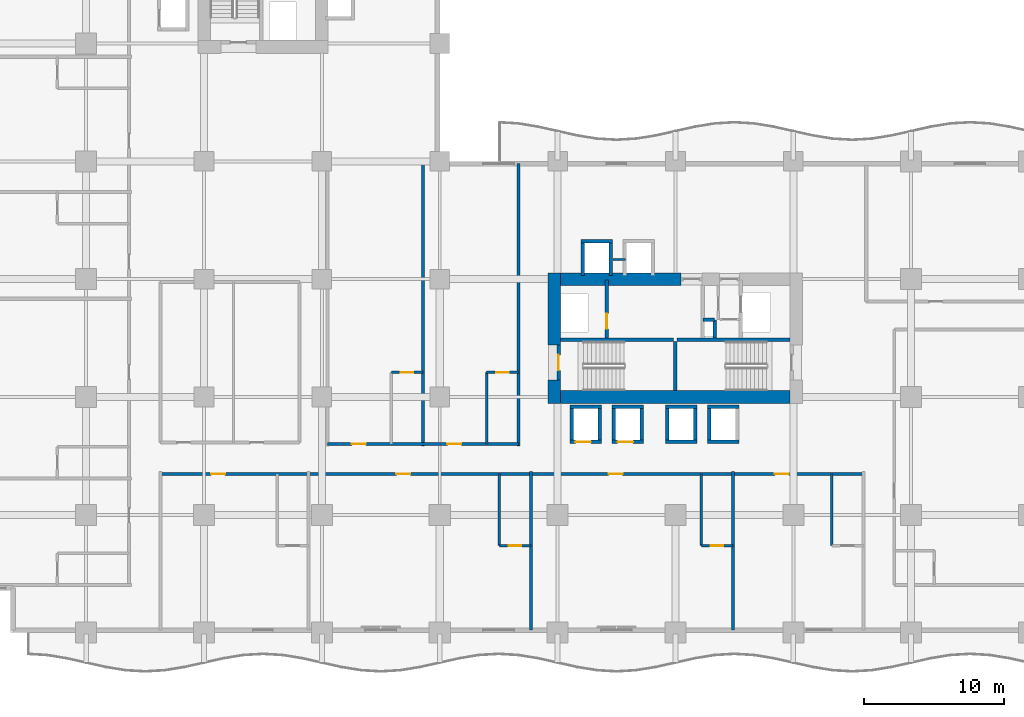
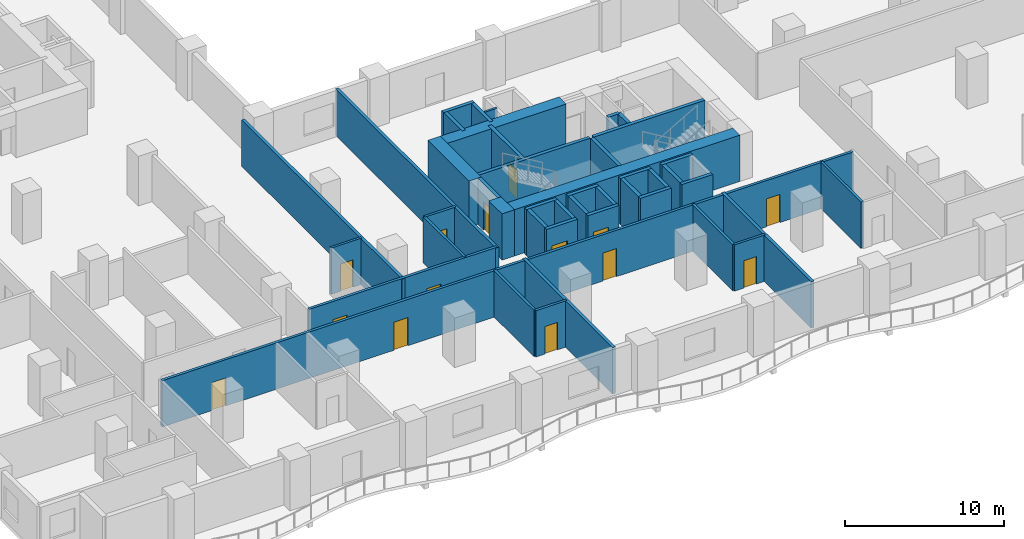
# One storey, part 12 of 27: 44 walls, 14 doors, 14 openings.
"""IFC4 building model written with IfcOpenShell, lengths in metres."""

from ifc_helpers import new_model, si_unit, direction, frame, frame_2d, origin, place, context, subcontext, project, spatial, rectangle, extrude, material, layer, layer_set, type_object, element, fill, save


model = new_model("IFC4")

# Units and contexts
model_context = context("Model", 3, precision=1e-05, world=origin(), true_north=direction((0.0, 1.0)))
body_context = subcontext(model_context, "Body", "Model", "MODEL_VIEW")
ifc_project = project(units=[si_unit("LENGTHUNIT", "METRE"), si_unit("AREAUNIT", "SQUARE_METRE"), si_unit("VOLUMEUNIT", "CUBIC_METRE"), si_unit("PLANEANGLEUNIT", "RADIAN"), si_unit("MASSUNIT", "GRAM", prefix="KILO")], contexts=[model_context])

# Site, building, storey
site_placement = place(None, origin())
site = spatial("IfcSite", under=ifc_project, at=site_placement, CompositionType="ELEMENT")
building_placement = place(site_placement, origin())
building = spatial("IfcBuilding", under=site, at=building_placement, Name="Koriwani Terraces Tower", CompositionType="ELEMENT")
storey_placement = place(building_placement, frame((0.0, 0.0, 70.0)))
storey = spatial("IfcBuildingStorey", under=building, at=storey_placement, Name="L16", CompositionType="ELEMENT", Elevation=70.0)

# Walls
ifc_material_1 = material(Name="Concrete C60/75", Category="concrete")
ifc_layer_1 = layer(ifc_material_1, 0.89990234375, Name="Concrete C60/75")
ifc_layer_set_1 = layer_set([ifc_layer_1], Name="Concrete C60/75")
wall_type_1 = type_object("IfcWallType", Name="WALL_CORE_RC_900", PredefinedType="SHEAR", material=ifc_layer_set_1)
wall_1_placement = place(storey_placement, frame((41.75, 16.35009765625, 0.0), z_axis=(0.0, 0.0, 1.0), x_axis=(0.0, 1.0, 0.0)))
element("IfcWall", 1, at=wall_1_placement, inside=storey, type_object=wall_type_1, Name="L16 East Split Core Shear Wall W1", PredefinedType="SHEAR", context=body_context, shape_type="SweptSolid", body=[
    extrude(rectangle(XDim=1.64990234375, YDim=0.89990234375, at=frame_2d((0.824951171875, 0.0))), origin(), (0.0, 0.0, 1.0), 3.550048828125),
])
wall_2_placement = place(storey_placement, frame((41.75, 20.5, 0.0), z_axis=(0.0, 0.0, 1.0), x_axis=(0.0, 1.0, 0.0)))
element("IfcWall", 2, at=wall_2_placement, inside=storey, type_object=wall_type_1, Name="L16 East Split Core Shear Wall W2", PredefinedType="SHEAR", context=body_context, shape_type="SweptSolid", body=[
    extrude(rectangle(XDim=5.14990234375, YDim=0.89990234375, at=frame_2d((2.574951171875, 0.0))), origin(), (0.0, 0.0, 1.0), 3.550048828125),
])
wall_3_placement = place(storey_placement, frame((42.199951171875, 16.800048828125, 0.0), z_axis=(0.0, 0.0, 1.0), x_axis=(1.0, 0.0, 0.0)))
element("IfcWall", 3, at=wall_3_placement, inside=storey, type_object=wall_type_1, Name="L16 East Split Core Shear Wall S1", PredefinedType="SHEAR", context=body_context, shape_type="SweptSolid", body=[
    extrude(rectangle(XDim=16.35009765625, YDim=0.89990234375, at=frame_2d((8.175048828125, 0.0))), origin(), (0.0, 0.0, 1.0), 3.550048828125),
])
wall_4_placement = place(storey_placement, frame((42.199951171875, 25.199951171875, 0.0), z_axis=(0.0, 0.0, 1.0), x_axis=(1.0, 0.0, 0.0)))
element("IfcWall", 4, at=wall_4_placement, inside=storey, type_object=wall_type_1, Name="L16 East Split Core Shear Wall N1", PredefinedType="SHEAR", context=body_context, shape_type="SweptSolid", body=[
    extrude(rectangle(XDim=8.60009765625, YDim=0.89990234375, at=frame_2d((4.300048828125, 0.0))), origin(), (0.0, 0.0, 1.0), 3.550048828125),
])

# Wall, openings, doors
ifc_material_2 = material(Name="Autoclaved Cellular Concrete Blockwork", Category="masonry")
ifc_layer_2 = layer(ifc_material_2, 0.199951171875, Name="Autoclaved Cellular Concrete Blockwork")
ifc_layer_set_2 = layer_set([ifc_layer_2], Name="Autoclaved Cellular Concrete Blockwork")
wall_type_2 = type_object("IfcWallType", Name="WALL_CORRIDOR_200", PredefinedType="PARTITIONING", material=ifc_layer_set_2)
wall_5_placement = place(storey_placement, frame((25.60009765625, 13.449951171875, 0.0), z_axis=(0.0, 0.0, 1.0), x_axis=(1.0, 0.0, 0.0)))
wall_5 = element("IfcWall", 5, at=wall_5_placement, inside=storey, type_object=wall_type_2, Name="L16 Interior Wall WCOR-L16-SWI-0", PredefinedType="PARTITIONING", context=body_context, shape_type="SweptSolid", body=[
    extrude(rectangle(XDim=13.599853515625, YDim=0.199951171875, at=frame_2d((6.7998046875, 0.0))), origin(), (0.0, 0.0, 1.0), 3.550048828125),
])
opening_1_placement = place(wall_5_placement, frame((1.735107421875, 0.0, 0.0)))
opening_1 = element("IfcOpeningElement", 6, at=opening_1_placement, cuts=wall_5, Name="Opening D-05", PredefinedType="OPENING", context=body_context, shape_type="SweptSolid", body=[
    extrude(rectangle(XDim=1.0, YDim=2.14990234375, at=frame_2d((0.5, 1.074951171875))), frame((0.0, 0.10986328125, 0.0), z_axis=(0.0, -1.0, 0.0), x_axis=(1.0, 0.0, 0.0)), (0.0, 0.0, 1.0), 0.219970703125),
])
opening_2_placement = place(wall_5_placement, frame((8.534912109375, 0.0, 0.0)))
opening_2 = element("IfcOpeningElement", 7, at=opening_2_placement, cuts=wall_5, Name="Opening D-05", PredefinedType="OPENING", context=body_context, shape_type="SweptSolid", body=[
    extrude(rectangle(XDim=1.0, YDim=2.14990234375, at=frame_2d((0.5, 1.074951171875))), frame((0.0, 0.10986328125, 0.0), z_axis=(0.0, -1.0, 0.0), x_axis=(1.0, 0.0, 0.0)), (0.0, 0.0, 1.0), 0.219970703125),
])
ifc_material_3 = material(Name="Architectural Oak Fire Door", Category="wood")
door_type_1 = type_object("IfcDoorType", Name="DOOR_SUITE_ENTRY_1000X2150", OperationType="NOTDEFINED", PredefinedType="DOOR", material=ifc_material_3)
door_1_placement = place(opening_1_placement, origin())
door_1 = element("IfcDoor", 8, at=door_1_placement, inside=storey, type_object=door_type_1, Name="Luxury Hotel Suite 16SWI1 Entrance Door", OperationType="SINGLE_SWING_RIGHT", OverallHeight=2.14990234375, OverallWidth=1.0, PredefinedType="DOOR", context=body_context, shape_type="SweptSolid", body=[
    extrude(rectangle(XDim=1.0, YDim=2.14990234375, at=frame_2d((0.5, 1.074951171875))), frame((0.0, 0.02490234375, 0.0), z_axis=(0.0, -1.0, 0.0), x_axis=(1.0, 0.0, 0.0)), (0.0, 0.0, 1.0), 0.050048828125),
])
fill(opening_1, door_1)
door_2_placement = place(opening_2_placement, origin())
door_2 = element("IfcDoor", 9, at=door_2_placement, inside=storey, type_object=door_type_1, Name="Luxury Hotel Suite 16SWI2 Entrance Door", OperationType="SINGLE_SWING_RIGHT", OverallHeight=2.14990234375, OverallWidth=1.0, PredefinedType="DOOR", context=body_context, shape_type="SweptSolid", body=[
    extrude(rectangle(XDim=1.0, YDim=2.14990234375, at=frame_2d((0.5, 1.074951171875))), frame((0.0, 0.02490234375, 0.0), z_axis=(0.0, -1.0, 0.0), x_axis=(1.0, 0.0, 0.0)), (0.0, 0.0, 1.0), 0.050048828125),
])
fill(opening_2, door_2)

wall_6_placement = place(storey_placement, frame((13.699951171875, 11.300048828125, 0.0), z_axis=(0.0, 0.0, 1.0), x_axis=(1.0, 0.0, 0.0)))
wall_6 = element("IfcWall", 10, at=wall_6_placement, inside=storey, type_object=wall_type_2, Name="L16 Interior Wall WCOR-L16-SW-0", PredefinedType="PARTITIONING", context=body_context, shape_type="SweptSolid", body=[
    extrude(rectangle(XDim=50.10009765625, YDim=0.199951171875, at=frame_2d((25.050048828125, 0.0))), origin(), (0.0, 0.0, 1.0), 3.550048828125),
])
opening_3_placement = place(wall_6_placement, frame((3.610107421875, 0.0, 0.0)))
opening_3 = element("IfcOpeningElement", 11, at=opening_3_placement, cuts=wall_6, Name="Opening D-05", PredefinedType="OPENING", context=body_context, shape_type="SweptSolid", body=[
    extrude(rectangle(XDim=1.0, YDim=2.14990234375, at=frame_2d((0.5, 1.074951171875))), frame((0.0, 0.10986328125, 0.0), z_axis=(0.0, -1.0, 0.0), x_axis=(1.0, 0.0, 0.0)), (0.0, 0.0, 1.0), 0.219970703125),
])
opening_4_placement = place(wall_6_placement, frame((16.81005859375, 0.0, 0.0)))
opening_4 = element("IfcOpeningElement", 12, at=opening_4_placement, cuts=wall_6, Name="Opening D-05", PredefinedType="OPENING", context=body_context, shape_type="SweptSolid", body=[
    extrude(rectangle(XDim=1.0, YDim=2.14990234375, at=frame_2d((0.5, 1.074951171875))), frame((0.0, 0.10986328125, 0.0), z_axis=(0.0, -1.0, 0.0), x_axis=(1.0, 0.0, 0.0)), (0.0, 0.0, 1.0), 0.219970703125),
])
opening_5_placement = place(wall_6_placement, frame((31.93505859375, 0.0, 0.0)))
opening_5 = element("IfcOpeningElement", 13, at=opening_5_placement, cuts=wall_6, Name="Opening D-05", PredefinedType="OPENING", context=body_context, shape_type="SweptSolid", body=[
    extrude(rectangle(XDim=1.0, YDim=2.14990234375, at=frame_2d((0.5, 1.074951171875))), frame((0.0, 0.10986328125, 0.0), z_axis=(0.0, -1.0, 0.0), x_axis=(1.0, 0.0, 0.0)), (0.0, 0.0, 1.0), 0.219970703125),
])
opening_6_placement = place(wall_6_placement, frame((43.784912109375, 0.0, 0.0)))
opening_6 = element("IfcOpeningElement", 14, at=opening_6_placement, cuts=wall_6, Name="Opening D-05", PredefinedType="OPENING", context=body_context, shape_type="SweptSolid", body=[
    extrude(rectangle(XDim=1.0, YDim=2.14990234375, at=frame_2d((0.5, 1.074951171875))), frame((0.0, 0.10986328125, 0.0), z_axis=(0.0, -1.0, 0.0), x_axis=(1.0, 0.0, 0.0)), (0.0, 0.0, 1.0), 0.219970703125),
])
door_3_placement = place(opening_3_placement, origin())
door_3 = element("IfcDoor", 15, at=door_3_placement, inside=storey, type_object=door_type_1, Name="Luxury Hotel Suite 16SW1 Entrance Door", OperationType="SINGLE_SWING_RIGHT", OverallHeight=2.14990234375, OverallWidth=1.0, PredefinedType="DOOR", context=body_context, shape_type="SweptSolid", body=[
    extrude(rectangle(XDim=1.0, YDim=2.14990234375, at=frame_2d((0.5, 1.074951171875))), frame((0.0, 0.02490234375, 0.0), z_axis=(0.0, -1.0, 0.0), x_axis=(1.0, 0.0, 0.0)), (0.0, 0.0, 1.0), 0.050048828125),
])
fill(opening_3, door_3)
door_4_placement = place(opening_4_placement, origin())
door_4 = element("IfcDoor", 16, at=door_4_placement, inside=storey, type_object=door_type_1, Name="Luxury Hotel Suite 16SW2 Entrance Door", OperationType="SINGLE_SWING_RIGHT", OverallHeight=2.14990234375, OverallWidth=1.0, PredefinedType="DOOR", context=body_context, shape_type="SweptSolid", body=[
    extrude(rectangle(XDim=1.0, YDim=2.14990234375, at=frame_2d((0.5, 1.074951171875))), frame((0.0, 0.02490234375, 0.0), z_axis=(0.0, -1.0, 0.0), x_axis=(1.0, 0.0, 0.0)), (0.0, 0.0, 1.0), 0.050048828125),
])
fill(opening_4, door_4)
door_5_placement = place(opening_5_placement, origin())
door_5 = element("IfcDoor", 17, at=door_5_placement, inside=storey, type_object=door_type_1, Name="Luxury Hotel Suite 16SW3 Entrance Door", OperationType="SINGLE_SWING_RIGHT", OverallHeight=2.14990234375, OverallWidth=1.0, PredefinedType="DOOR", context=body_context, shape_type="SweptSolid", body=[
    extrude(rectangle(XDim=1.0, YDim=2.14990234375, at=frame_2d((0.5, 1.074951171875))), frame((0.0, 0.02490234375, 0.0), z_axis=(0.0, -1.0, 0.0), x_axis=(1.0, 0.0, 0.0)), (0.0, 0.0, 1.0), 0.050048828125),
])
fill(opening_5, door_5)
door_6_placement = place(opening_6_placement, origin())
door_6 = element("IfcDoor", 18, at=door_6_placement, inside=storey, type_object=door_type_1, Name="Luxury Hotel Suite 16SW4 Entrance Door", OperationType="SINGLE_SWING_RIGHT", OverallHeight=2.14990234375, OverallWidth=1.0, PredefinedType="DOOR", context=body_context, shape_type="SweptSolid", body=[
    extrude(rectangle(XDim=1.0, YDim=2.14990234375, at=frame_2d((0.5, 1.074951171875))), frame((0.0, 0.02490234375, 0.0), z_axis=(0.0, -1.0, 0.0), x_axis=(1.0, 0.0, 0.0)), (0.0, 0.0, 1.0), 0.050048828125),
])
fill(opening_6, door_6)

# Walls
ifc_layer_3 = layer(ifc_material_2, 0.219970703125, Name="Autoclaved Cellular Concrete Blockwork")
ifc_layer_set_3 = layer_set([ifc_layer_3], Name="Autoclaved Cellular Concrete Blockwork")
wall_type_3 = type_object("IfcWallType", Name="WALL_DEMISING_220", PredefinedType="PARTITIONING", material=ifc_layer_set_3)
for number, where, z_axis, x_axis, name in (
    (19, (32.39990234375, 13.300048828125, 0.0), (0.0, 0.0, 1.0), (0.0, 1.0, 0.0), "L16 Interior Wall WDEM-L16-SWI-1"),
    (20, (39.199951171875, 13.300048828125, 0.0), (0.0, 0.0, 1.0), (0.0, 1.0, 0.0), "L16 Interior Wall WDEME-L16-SWI"),
):
    element("IfcWall", number, at=place(storey_placement, frame(where, z_axis=z_axis, x_axis=x_axis)), inside=storey, type_object=wall_type_3, Name=name, PredefinedType="PARTITIONING", context=body_context, shape_type="SweptSolid", body=[
        extrude(rectangle(XDim=20.1298828125, YDim=0.219970703125, at=frame_2d((10.06494140625, 0.0))), origin(), (0.0, 0.0, 1.0), 3.550048828125),
    ])
for number, where, z_axis, x_axis, name in (
    (21, (40.10009765625, 0.199951171875, 0.0), (0.0, 0.0, 1.0), (0.0, 1.0, 0.0), "L16 Interior Wall WDEM-L16-SW-2"),
    (22, (54.5, 0.199951171875, 0.0), (0.0, 0.0, 1.0), (0.0, 1.0, 0.0), "L16 Interior Wall WDEM-L16-SW-3"),
):
    element("IfcWall", number, at=place(storey_placement, frame(where, z_axis=z_axis, x_axis=x_axis)), inside=storey, type_object=wall_type_3, Name=name, PredefinedType="PARTITIONING", context=body_context, shape_type="SweptSolid", body=[
        extrude(rectangle(XDim=11.280029296875, YDim=0.219970703125, at=frame_2d((5.64013671875, 0.0))), origin(), (0.0, 0.0, 1.0), 3.550048828125),
    ])

# Wall, opening, door
ifc_material_4 = material(Name="Fire-Rated Acoustic Gypsum Partition", Category="masonry")
ifc_layer_4 = layer(ifc_material_4, 0.179931640625, Name="Fire-Rated Acoustic Gypsum Partition")
ifc_layer_set_4 = layer_set([ifc_layer_4], Name="Fire-Rated Acoustic Gypsum Partition")
wall_type_4 = type_object("IfcWallType", Name="WALL_PLUMBING_180", PredefinedType="PLUMBINGWALL", material=ifc_layer_set_4)
wall_7_placement = place(storey_placement, frame((30.14990234375, 18.550048828125, 0.0), z_axis=(0.0, 0.0, 1.0), x_axis=(1.0, 0.0, 0.0)))
wall_7 = element("IfcWall", 23, at=wall_7_placement, inside=storey, type_object=wall_type_4, Name="L16 Interior Wall WBTH1-L16-SWI-0", PredefinedType="PLUMBINGWALL", context=body_context, shape_type="SweptSolid", body=[
    extrude(rectangle(XDim=2.25, YDim=0.179931640625, at=frame_2d((1.125, 0.0))), origin(), (0.0, 0.0, 1.0), 3.550048828125),
])
opening_7_placement = place(wall_7_placement, frame((0.675048828125, 0.0, 0.0)))
opening_7 = element("IfcOpeningElement", 24, at=opening_7_placement, cuts=wall_7, Name="Opening D-07", PredefinedType="OPENING", context=body_context, shape_type="SweptSolid", body=[
    extrude(rectangle(XDim=0.89990234375, YDim=2.10009765625, at=frame_2d((0.449951171875, 1.050048828125))), frame((0.0, 0.10009765625, 0.0), z_axis=(0.0, -1.0, 0.0), x_axis=(1.0, 0.0, 0.0)), (0.0, 0.0, 1.0), 0.199951171875),
])
door_type_2 = type_object("IfcDoorType", Name="DOOR_BATH_INT_900X2100", OperationType="NOTDEFINED", PredefinedType="DOOR", material=ifc_material_3)
door_7_placement = place(opening_7_placement, origin())
door_7 = element("IfcDoor", 25, at=door_7_placement, inside=storey, type_object=door_type_2, Name="En-Suite Bathroom 16SWI1 Door", OperationType="SINGLE_SWING_LEFT", OverallHeight=2.10009765625, OverallWidth=0.89990234375, PredefinedType="DOOR", context=body_context, shape_type="SweptSolid", body=[
    extrude(rectangle(XDim=0.89990234375, YDim=2.10009765625, at=frame_2d((0.449951171875, 1.050048828125))), frame((0.0, 0.02490234375, 0.0), z_axis=(0.0, -1.0, 0.0), x_axis=(1.0, 0.0, 0.0)), (0.0, 0.0, 1.0), 0.050048828125),
])
fill(opening_7, door_7)

wall_8_placement = place(storey_placement, frame((36.949951171875, 18.550048828125, 0.0), z_axis=(0.0, 0.0, 1.0), x_axis=(1.0, 0.0, 0.0)))
wall_8 = element("IfcWall", 26, at=wall_8_placement, inside=storey, type_object=wall_type_4, Name="L16 Interior Wall WBTH1-L16-SWI-1", PredefinedType="PLUMBINGWALL", context=body_context, shape_type="SweptSolid", body=[
    extrude(rectangle(XDim=2.25, YDim=0.179931640625, at=frame_2d((1.125, 0.0))), origin(), (0.0, 0.0, 1.0), 3.550048828125),
])
opening_8_placement = place(wall_8_placement, frame((0.675048828125, 0.0, 0.0)))
opening_8 = element("IfcOpeningElement", 27, at=opening_8_placement, cuts=wall_8, Name="Opening D-07", PredefinedType="OPENING", context=body_context, shape_type="SweptSolid", body=[
    extrude(rectangle(XDim=0.89990234375, YDim=2.10009765625, at=frame_2d((0.449951171875, 1.050048828125))), frame((0.0, 0.10009765625, 0.0), z_axis=(0.0, -1.0, 0.0), x_axis=(1.0, 0.0, 0.0)), (0.0, 0.0, 1.0), 0.199951171875),
])
door_8_placement = place(opening_8_placement, origin())
door_8 = element("IfcDoor", 28, at=door_8_placement, inside=storey, type_object=door_type_2, Name="En-Suite Bathroom 16SWI2 Door", OperationType="SINGLE_SWING_LEFT", OverallHeight=2.10009765625, OverallWidth=0.89990234375, PredefinedType="DOOR", context=body_context, shape_type="SweptSolid", body=[
    extrude(rectangle(XDim=0.89990234375, YDim=2.10009765625, at=frame_2d((0.449951171875, 1.050048828125))), frame((0.0, 0.02490234375, 0.0), z_axis=(0.0, -1.0, 0.0), x_axis=(1.0, 0.0, 0.0)), (0.0, 0.0, 1.0), 0.050048828125),
])
fill(opening_8, door_8)

# Wall
wall_9_placement = place(storey_placement, frame((36.949951171875, 13.449951171875, 0.0), z_axis=(0.0, 0.0, 1.0), x_axis=(0.0, 1.0, 0.0)))
element("IfcWall", 29, at=wall_9_placement, inside=storey, type_object=wall_type_4, Name="L16 Interior Wall WBTH2-L16-SWI-1", PredefinedType="PLUMBINGWALL", context=body_context, shape_type="SweptSolid", body=[
    extrude(rectangle(XDim=5.10009765625, YDim=0.179931640625, at=frame_2d((2.550048828125, 0.0))), origin(), (0.0, 0.0, 1.0), 3.550048828125),
])

# Wall, opening, door
wall_10_placement = place(storey_placement, frame((37.85009765625, 6.199951171875, 0.0), z_axis=(0.0, 0.0, 1.0), x_axis=(1.0, 0.0, 0.0)))
wall_10 = element("IfcWall", 30, at=wall_10_placement, inside=storey, type_object=wall_type_4, Name="L16 Interior Wall WBTH1-L16-SW-1", PredefinedType="PLUMBINGWALL", context=body_context, shape_type="SweptSolid", body=[
    extrude(rectangle(XDim=2.25, YDim=0.179931640625, at=frame_2d((1.125, 0.0))), origin(), (0.0, 0.0, 1.0), 3.550048828125),
])
opening_9_placement = place(wall_10_placement, frame((0.675048828125, 0.0, 0.0)))
opening_9 = element("IfcOpeningElement", 31, at=opening_9_placement, cuts=wall_10, Name="Opening D-07", PredefinedType="OPENING", context=body_context, shape_type="SweptSolid", body=[
    extrude(rectangle(XDim=0.89990234375, YDim=2.10009765625, at=frame_2d((0.449951171875, 1.050048828125))), frame((0.0, 0.10009765625, 0.0), z_axis=(0.0, -1.0, 0.0), x_axis=(1.0, 0.0, 0.0)), (0.0, 0.0, 1.0), 0.199951171875),
])
door_9_placement = place(opening_9_placement, origin())
door_9 = element("IfcDoor", 32, at=door_9_placement, inside=storey, type_object=door_type_2, Name="En-Suite Bathroom 16SW2 Door", OperationType="SINGLE_SWING_LEFT", OverallHeight=2.10009765625, OverallWidth=0.89990234375, PredefinedType="DOOR", context=body_context, shape_type="SweptSolid", body=[
    extrude(rectangle(XDim=0.89990234375, YDim=2.10009765625, at=frame_2d((0.449951171875, 1.050048828125))), frame((0.0, 0.02490234375, 0.0), z_axis=(0.0, -1.0, 0.0), x_axis=(1.0, 0.0, 0.0)), (0.0, 0.0, 1.0), 0.050048828125),
])
fill(opening_9, door_9)

# Wall
wall_11_placement = place(storey_placement, frame((37.85009765625, 6.199951171875, 0.0), z_axis=(0.0, 0.0, 1.0), x_axis=(0.0, 1.0, 0.0)))
element("IfcWall", 33, at=wall_11_placement, inside=storey, type_object=wall_type_4, Name="L16 Interior Wall WBTH2-L16-SW-1", PredefinedType="PLUMBINGWALL", context=body_context, shape_type="SweptSolid", body=[
    extrude(rectangle(XDim=5.10009765625, YDim=0.179931640625, at=frame_2d((2.550048828125, 0.0))), origin(), (0.0, 0.0, 1.0), 3.550048828125),
])

# Wall, opening, door
wall_12_placement = place(storey_placement, frame((52.25, 6.199951171875, 0.0), z_axis=(0.0, 0.0, 1.0), x_axis=(1.0, 0.0, 0.0)))
wall_12 = element("IfcWall", 34, at=wall_12_placement, inside=storey, type_object=wall_type_4, Name="L16 Interior Wall WBTH1-L16-SW-2", PredefinedType="PLUMBINGWALL", context=body_context, shape_type="SweptSolid", body=[
    extrude(rectangle(XDim=2.25, YDim=0.179931640625, at=frame_2d((1.125, 0.0))), origin(), (0.0, 0.0, 1.0), 3.550048828125),
])
opening_10_placement = place(wall_12_placement, frame((0.675048828125, 0.0, 0.0)))
opening_10 = element("IfcOpeningElement", 35, at=opening_10_placement, cuts=wall_12, Name="Opening D-07", PredefinedType="OPENING", context=body_context, shape_type="SweptSolid", body=[
    extrude(rectangle(XDim=0.89990234375, YDim=2.10009765625, at=frame_2d((0.449951171875, 1.050048828125))), frame((0.0, 0.10009765625, 0.0), z_axis=(0.0, -1.0, 0.0), x_axis=(1.0, 0.0, 0.0)), (0.0, 0.0, 1.0), 0.199951171875),
])
door_10_placement = place(opening_10_placement, origin())
door_10 = element("IfcDoor", 36, at=door_10_placement, inside=storey, type_object=door_type_2, Name="En-Suite Bathroom 16SW3 Door", OperationType="SINGLE_SWING_LEFT", OverallHeight=2.10009765625, OverallWidth=0.89990234375, PredefinedType="DOOR", context=body_context, shape_type="SweptSolid", body=[
    extrude(rectangle(XDim=0.89990234375, YDim=2.10009765625, at=frame_2d((0.449951171875, 1.050048828125))), frame((0.0, 0.02490234375, 0.0), z_axis=(0.0, -1.0, 0.0), x_axis=(1.0, 0.0, 0.0)), (0.0, 0.0, 1.0), 0.050048828125),
])
fill(opening_10, door_10)

# Walls
for number, where, z_axis, x_axis, name in (
    (37, (52.25, 6.199951171875, 0.0), (0.0, 0.0, 1.0), (0.0, 1.0, 0.0), "L16 Interior Wall WBTH2-L16-SW-2"),
    (38, (61.550048828125, 6.199951171875, 0.0), (0.0, 0.0, 1.0), (0.0, 1.0, 0.0), "L16 Interior Wall WBTH2-L16-SW-3"),
):
    element("IfcWall", number, at=place(storey_placement, frame(where, z_axis=z_axis, x_axis=x_axis)), inside=storey, type_object=wall_type_4, Name=name, PredefinedType="PLUMBINGWALL", context=body_context, shape_type="SweptSolid", body=[
        extrude(rectangle(XDim=5.10009765625, YDim=0.179931640625, at=frame_2d((2.550048828125, 0.0))), origin(), (0.0, 0.0, 1.0), 3.550048828125),
    ])
ifc_material_5 = material(Name="Concrete C40/50", Category="concrete")
ifc_layer_5 = layer(ifc_material_5, 0.25, Name="Concrete C40/50")
ifc_layer_set_5 = layer_set([ifc_layer_5], Name="Concrete C40/50")
wall_type_5 = type_object("IfcWallType", Name="WALL_SHAFT_RATED_250", PredefinedType="SOLIDWALL", material=ifc_layer_set_5)
for number, where, z_axis, x_axis, name in (
    (39, (42.199951171875, 20.875, 0.0), (0.0, 0.0, 1.0), (1.0, 0.0, 0.0), "L16 East Split Core Web Wall MID1"),
    (40, (50.5, 20.875, 0.0), (0.0, 0.0, 1.0), (1.0, 0.0, 0.0), "L16 East Split Core Web Wall MID2"),
):
    element("IfcWall", number, at=place(storey_placement, frame(where, z_axis=z_axis, x_axis=x_axis)), inside=storey, type_object=wall_type_5, Name=name, PredefinedType="SOLIDWALL", context=body_context, shape_type="SweptSolid", body=[
        extrude(rectangle(XDim=8.050048828125, YDim=0.25, at=frame_2d((4.02490234375, 0.0))), origin(), (0.0, 0.0, 1.0), 3.550048828125),
    ])
wall_13_placement = place(storey_placement, frame((50.375, 17.25, 0.0), z_axis=(0.0, 0.0, 1.0), x_axis=(0.0, 1.0, 0.0)))
element("IfcWall", 41, at=wall_13_placement, inside=storey, type_object=wall_type_5, Name="L16 East Split Core Stair Dividing Wall", PredefinedType="SOLIDWALL", context=body_context, shape_type="SweptSolid", body=[
    extrude(rectangle(XDim=3.5, YDim=0.25, at=frame_2d((1.75, 0.0))), origin(), (0.0, 0.0, 1.0), 3.550048828125),
])

# Wall, opening, door
wall_14_placement = place(storey_placement, frame((42.074951171875, 18.0, 0.0), z_axis=(0.0, 0.0, 1.0), x_axis=(0.0, 1.0, 0.0)))
wall_14 = element("IfcWall", 42, at=wall_14_placement, inside=storey, type_object=wall_type_5, Name="L16 Interior Wall WIN-CE-L16-STW", PredefinedType="SOLIDWALL", context=body_context, shape_type="SweptSolid", body=[
    extrude(rectangle(XDim=2.5, YDim=0.25, at=frame_2d((1.25, 0.0))), origin(), (0.0, 0.0, 1.0), 3.550048828125),
])
opening_11_placement = place(wall_14_placement, frame((0.699951171875, 0.0, 0.0)))
opening_11 = element("IfcOpeningElement", 43, at=opening_11_placement, cuts=wall_14, Name="Opening D-03", PredefinedType="OPENING", context=body_context, shape_type="SweptSolid", body=[
    extrude(rectangle(XDim=1.10009765625, YDim=2.14990234375, at=frame_2d((0.550048828125, 1.074951171875))), frame((0.0, 0.135009765625, 0.0), z_axis=(0.0, -1.0, 0.0), x_axis=(1.0, 0.0, 0.0)), (0.0, 0.0, 1.0), 0.27001953125),
])
ifc_material_6 = material(Name="Steel ASTM A572 Grade 50", Category="steel")
door_type_3 = type_object("IfcDoorType", Name="DOOR_STAIR_FIRE_1100X2150", OperationType="NOTDEFINED", PredefinedType="DOOR", material=ifc_material_6)
door_11_placement = place(opening_11_placement, origin())
door_11 = element("IfcDoor", 44, at=door_11_placement, inside=storey, type_object=door_type_3, Name="L16 Exit Stair ST-E1 Door", OperationType="SINGLE_SWING_RIGHT", OverallHeight=2.14990234375, OverallWidth=1.10009765625, PredefinedType="DOOR", context=body_context, shape_type="SweptSolid", body=[
    extrude(rectangle(XDim=1.10009765625, YDim=2.14990234375, at=frame_2d((0.550048828125, 1.074951171875))), frame((0.0, 0.02490234375, 0.0), z_axis=(0.0, -1.0, 0.0), x_axis=(1.0, 0.0, 0.0)), (0.0, 0.0, 1.0), 0.050048828125),
])
fill(opening_11, door_11)

wall_15_placement = place(storey_placement, frame((45.5, 21.0, 0.0), z_axis=(0.0, 0.0, 1.0), x_axis=(0.0, 1.0, 0.0)))
wall_15 = element("IfcWall", 45, at=wall_15_placement, inside=storey, type_object=wall_type_5, Name="L16 Interior Wall WIN-CE-L16-FE", PredefinedType="SOLIDWALL", context=body_context, shape_type="SweptSolid", body=[
    extrude(rectangle(XDim=4.14990234375, YDim=0.25, at=frame_2d((2.074951171875, 0.0))), origin(), (0.0, 0.0, 1.0), 3.550048828125),
])
opening_12_placement = place(wall_15_placement, frame((0.64990234375, 0.0, 0.0)))
opening_12 = element("IfcOpeningElement", 46, at=opening_12_placement, cuts=wall_15, Name="Opening LD-01", PredefinedType="OPENING", context=body_context, shape_type="SweptSolid", body=[
    extrude(rectangle(XDim=1.10009765625, YDim=2.14990234375, at=frame_2d((0.550048828125, 1.074951171875))), frame((0.0, 0.135009765625, 0.0), z_axis=(0.0, -1.0, 0.0), x_axis=(1.0, 0.0, 0.0)), (0.0, 0.0, 1.0), 0.27001953125),
])
door_type_4 = type_object("IfcDoorType", Name="DOOR_LIFT_LANDING_1100X2200", OperationType="NOTDEFINED", PredefinedType="DOOR", material=ifc_material_6)
door_12_placement = place(opening_12_placement, origin())
door_12 = element("IfcDoor", 47, at=door_12_placement, inside=storey, type_object=door_type_4, Name="L16 Firefighting Lift FE-02 Landing Door", OperationType="SLIDING_TO_LEFT", OverallHeight=2.14990234375, OverallWidth=1.10009765625, PredefinedType="DOOR", context=body_context, shape_type="SweptSolid", body=[
    extrude(rectangle(XDim=1.10009765625, YDim=2.14990234375, at=frame_2d((0.550048828125, 1.074951171875))), frame((0.0, 0.02490234375, 0.0), z_axis=(0.0, -1.0, 0.0), x_axis=(1.0, 0.0, 0.0)), (0.0, 0.0, 1.0), 0.050048828125),
])
fill(opening_12, door_12)

# Walls
wall_16_placement = place(storey_placement, frame((53.199951171875, 21.0, 0.0), z_axis=(0.0, 0.0, 1.0), x_axis=(0.0, 1.0, 0.0)))
element("IfcWall", 48, at=wall_16_placement, inside=storey, type_object=wall_type_5, Name="L16 Interior Wall WIN-CE-L16-RS1", PredefinedType="SOLIDWALL", context=body_context, shape_type="SweptSolid", body=[
    extrude(rectangle(XDim=1.300048828125, YDim=0.25, at=frame_2d((0.64990234375, 0.0))), origin(), (0.0, 0.0, 1.0), 3.550048828125),
])
wall_17_placement = place(storey_placement, frame((52.360107421875, 22.300048828125, 0.0), z_axis=(0.0, 0.0, 1.0), x_axis=(1.0, 0.0, 0.0)))
element("IfcWall", 49, at=wall_17_placement, inside=storey, type_object=wall_type_5, Name="L16 Interior Wall WIN-CE-L16-RS2", PredefinedType="SOLIDWALL", context=body_context, shape_type="SweptSolid", body=[
    extrude(rectangle(XDim=0.83984375, YDim=0.25, at=frame_2d((0.419921875, 0.0))), origin(), (0.0, 0.0, 1.0), 3.550048828125),
])

# Wall, opening, door
wall_18_placement = place(storey_placement, frame((42.875, 13.60009765625, 0.0), z_axis=(0.0, 0.0, 1.0), x_axis=(1.0, 0.0, 0.0)))
wall_18 = element("IfcWall", 50, at=wall_18_placement, inside=storey, type_object=wall_type_5, Name="L16 Interior Wall WIN-LF-PE-L3-L16-F", PredefinedType="SOLIDWALL", context=body_context, shape_type="SweptSolid", body=[
    extrude(rectangle(XDim=2.25, YDim=0.25, at=frame_2d((1.125, 0.0))), origin(), (0.0, 0.0, 1.0), 3.550048828125),
])
opening_13_placement = place(wall_18_placement, frame((0.39990234375, 0.0, 0.0)))
opening_13 = element("IfcOpeningElement", 51, at=opening_13_placement, cuts=wall_18, Name="Opening LD-01", PredefinedType="OPENING", context=body_context, shape_type="SweptSolid", body=[
    extrude(rectangle(XDim=1.10009765625, YDim=2.14990234375, at=frame_2d((0.550048828125, 1.074951171875))), frame((0.0, 0.135009765625, 0.0), z_axis=(0.0, -1.0, 0.0), x_axis=(1.0, 0.0, 0.0)), (0.0, 0.0, 1.0), 0.27001953125),
])
door_13_placement = place(opening_13_placement, origin())
door_13 = element("IfcDoor", 52, at=door_13_placement, inside=storey, type_object=door_type_4, Name="L16 Passenger Lift PE-L3 Landing Door", OperationType="SLIDING_TO_LEFT", OverallHeight=2.14990234375, OverallWidth=1.10009765625, PredefinedType="DOOR", context=body_context, shape_type="SweptSolid", body=[
    extrude(rectangle(XDim=1.10009765625, YDim=2.14990234375, at=frame_2d((0.550048828125, 1.074951171875))), frame((0.0, 0.02490234375, 0.0), z_axis=(0.0, -1.0, 0.0), x_axis=(1.0, 0.0, 0.0)), (0.0, 0.0, 1.0), 0.050048828125),
])
fill(opening_13, door_13)

# Walls
for number, where, z_axis, x_axis, name in (
    (53, (42.875, 16.10009765625, 0.0), (0.0, 0.0, 1.0), (1.0, 0.0, 0.0), "L16 Interior Wall WIN-LF-PE-L3-L16-B"),
    (54, (43.0, 13.72509765625, 0.0), (0.0, 0.0, 1.0), (0.0, 1.0, 0.0), "L16 Interior Wall WIN-LF-PE-L3-L16-W"),
    (55, (45.0, 13.72509765625, 0.0), (0.0, 0.0, 1.0), (0.0, 1.0, 0.0), "L16 Interior Wall WIN-LF-PE-L3-L16-E"),
):
    element("IfcWall", number, at=place(storey_placement, frame(where, z_axis=z_axis, x_axis=x_axis)), inside=storey, type_object=wall_type_5, Name=name, PredefinedType="SOLIDWALL", context=body_context, shape_type="SweptSolid", body=[
        extrude(rectangle(XDim=2.25, YDim=0.25, at=frame_2d((1.125, 0.0))), origin(), (0.0, 0.0, 1.0), 3.550048828125),
    ])

# Wall, opening, door
wall_19_placement = place(storey_placement, frame((45.875, 13.60009765625, 0.0), z_axis=(0.0, 0.0, 1.0), x_axis=(1.0, 0.0, 0.0)))
wall_19 = element("IfcWall", 56, at=wall_19_placement, inside=storey, type_object=wall_type_5, Name="L16 Interior Wall WIN-LF-PE-L4-L16-F", PredefinedType="SOLIDWALL", context=body_context, shape_type="SweptSolid", body=[
    extrude(rectangle(XDim=2.25, YDim=0.25, at=frame_2d((1.125, 0.0))), origin(), (0.0, 0.0, 1.0), 3.550048828125),
])
opening_14_placement = place(wall_19_placement, frame((0.39990234375, 0.0, 0.0)))
opening_14 = element("IfcOpeningElement", 57, at=opening_14_placement, cuts=wall_19, Name="Opening LD-01", PredefinedType="OPENING", context=body_context, shape_type="SweptSolid", body=[
    extrude(rectangle(XDim=1.10009765625, YDim=2.14990234375, at=frame_2d((0.550048828125, 1.074951171875))), frame((0.0, 0.135009765625, 0.0), z_axis=(0.0, -1.0, 0.0), x_axis=(1.0, 0.0, 0.0)), (0.0, 0.0, 1.0), 0.27001953125),
])
door_14_placement = place(opening_14_placement, origin())
door_14 = element("IfcDoor", 58, at=door_14_placement, inside=storey, type_object=door_type_4, Name="L16 Passenger Lift PE-L4 Landing Door", OperationType="SLIDING_TO_LEFT", OverallHeight=2.14990234375, OverallWidth=1.10009765625, PredefinedType="DOOR", context=body_context, shape_type="SweptSolid", body=[
    extrude(rectangle(XDim=1.10009765625, YDim=2.14990234375, at=frame_2d((0.550048828125, 1.074951171875))), frame((0.0, 0.02490234375, 0.0), z_axis=(0.0, -1.0, 0.0), x_axis=(1.0, 0.0, 0.0)), (0.0, 0.0, 1.0), 0.050048828125),
])
fill(opening_14, door_14)

# Walls
for number, where, z_axis, x_axis, name in (
    (59, (45.875, 16.10009765625, 0.0), (0.0, 0.0, 1.0), (1.0, 0.0, 0.0), "L16 Interior Wall WIN-LF-PE-L4-L16-B"),
    (60, (46.0, 13.72509765625, 0.0), (0.0, 0.0, 1.0), (0.0, 1.0, 0.0), "L16 Interior Wall WIN-LF-PE-L4-L16-W"),
    (61, (48.0, 13.72509765625, 0.0), (0.0, 0.0, 1.0), (0.0, 1.0, 0.0), "L16 Interior Wall WIN-LF-PE-L4-L16-E"),
    (62, (49.675048828125, 13.60009765625, 0.0), (0.0, 0.0, 1.0), (1.0, 0.0, 0.0), "L16 Interior Wall WIN-LF-PE-M3-L16-F"),
    (63, (49.675048828125, 16.10009765625, 0.0), (0.0, 0.0, 1.0), (1.0, 0.0, 0.0), "L16 Interior Wall WIN-LF-PE-M3-L16-B"),
    (64, (49.800048828125, 13.72509765625, 0.0), (0.0, 0.0, 1.0), (0.0, 1.0, 0.0), "L16 Interior Wall WIN-LF-PE-M3-L16-W"),
    (65, (51.800048828125, 13.72509765625, 0.0), (0.0, 0.0, 1.0), (0.0, 1.0, 0.0), "L16 Interior Wall WIN-LF-PE-M3-L16-E"),
    (66, (52.675048828125, 13.60009765625, 0.0), (0.0, 0.0, 1.0), (1.0, 0.0, 0.0), "L16 Interior Wall WIN-LF-PE-M4-L16-F"),
    (67, (52.675048828125, 16.10009765625, 0.0), (0.0, 0.0, 1.0), (1.0, 0.0, 0.0), "L16 Interior Wall WIN-LF-PE-M4-L16-B"),
    (68, (52.800048828125, 13.72509765625, 0.0), (0.0, 0.0, 1.0), (0.0, 1.0, 0.0), "L16 Interior Wall WIN-LF-PE-M4-L16-W"),
    (69, (43.675048828125, 27.89990234375, 0.0), (0.0, 0.0, 1.0), (1.0, 0.0, 0.0), "L16 Interior Wall WIN-LF-PE-H3-L16-F"),
):
    element("IfcWall", number, at=place(storey_placement, frame(where, z_axis=z_axis, x_axis=x_axis)), inside=storey, type_object=wall_type_5, Name=name, PredefinedType="SOLIDWALL", context=body_context, shape_type="SweptSolid", body=[
        extrude(rectangle(XDim=2.25, YDim=0.25, at=frame_2d((1.125, 0.0))), origin(), (0.0, 0.0, 1.0), 3.550048828125),
    ])
for number, where, z_axis, x_axis, name in (
    (70, (43.800048828125, 25.449951171875, 0.0), (0.0, 0.0, 1.0), (0.0, 1.0, 0.0), "L16 Interior Wall WIN-LF-PE-H3-L16-W"),
    (71, (45.800048828125, 25.449951171875, 0.0), (0.0, 0.0, 1.0), (0.0, 1.0, 0.0), "L16 Interior Wall WIN-LF-PE-H3-L16-E"),
):
    element("IfcWall", number, at=place(storey_placement, frame(where, z_axis=z_axis, x_axis=x_axis)), inside=storey, type_object=wall_type_5, Name=name, PredefinedType="SOLIDWALL", context=body_context, shape_type="SweptSolid", body=[
        extrude(rectangle(XDim=2.324951171875, YDim=0.25, at=frame_2d((1.16259765625, 0.0))), origin(), (0.0, 0.0, 1.0), 3.550048828125),
    ])
ifc_layer_6 = layer(ifc_material_4, 0.159912109375, Name="Fire-Rated Acoustic Gypsum Partition")
ifc_layer_set_6 = layer_set([ifc_layer_6], Name="Fire-Rated Acoustic Gypsum Partition")
wall_type_6 = type_object("IfcWallType", Name="WALL_SUITE_160", PredefinedType="PARTITIONING", material=ifc_layer_set_6)
wall_20_placement = place(storey_placement, frame((45.9599609375, 26.60009765625, 0.0), z_axis=(0.0, 0.0, 1.0), x_axis=(1.0, 0.0, 0.0)))
element("IfcWall", 72, at=wall_20_placement, inside=storey, type_object=wall_type_6, Name="L16 Interior Wall WIN-LF-PEH34-MID-L16", PredefinedType="PARTITIONING", context=body_context, shape_type="SweptSolid", body=[
    extrude(rectangle(XDim=0.880126953125, YDim=0.159912109375, at=frame_2d((0.43994140625, 0.0))), origin(), (0.0, 0.0, 1.0), 3.550048828125),
])

save(model, "model.ifc")
